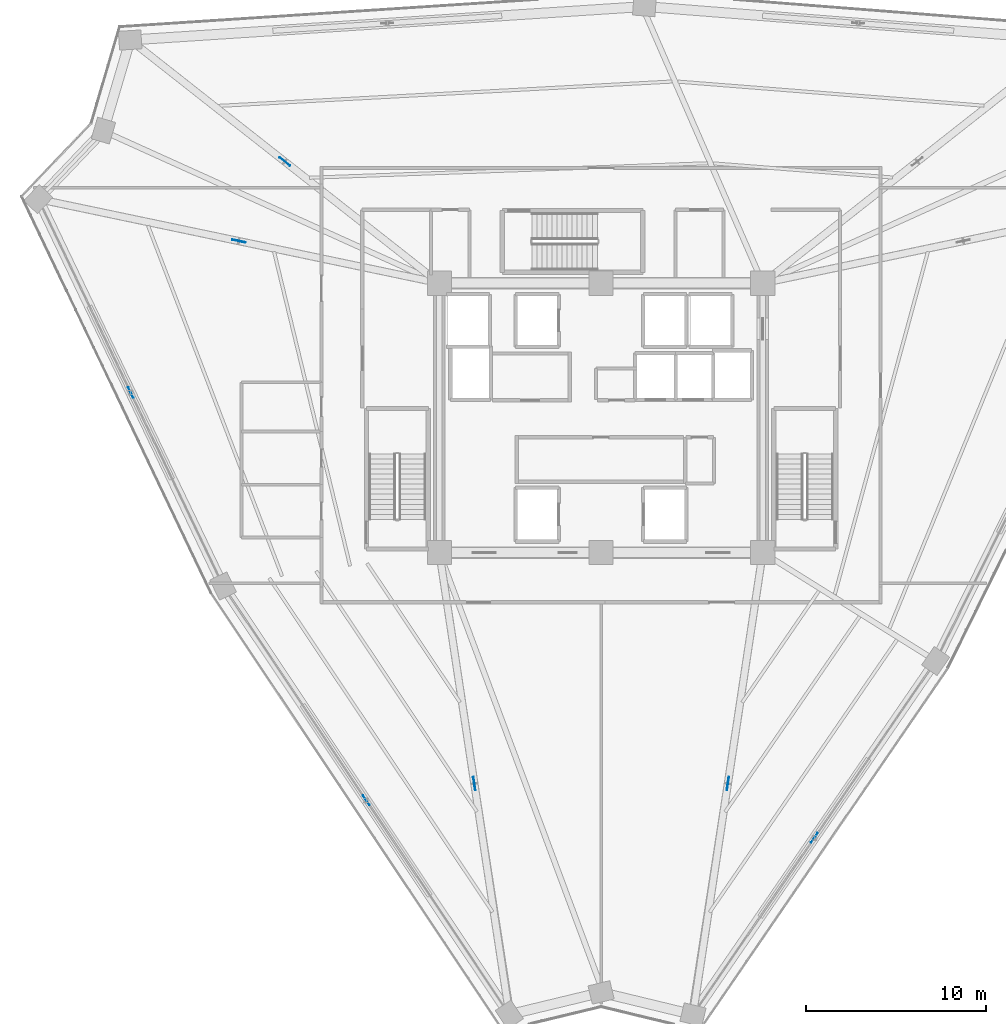
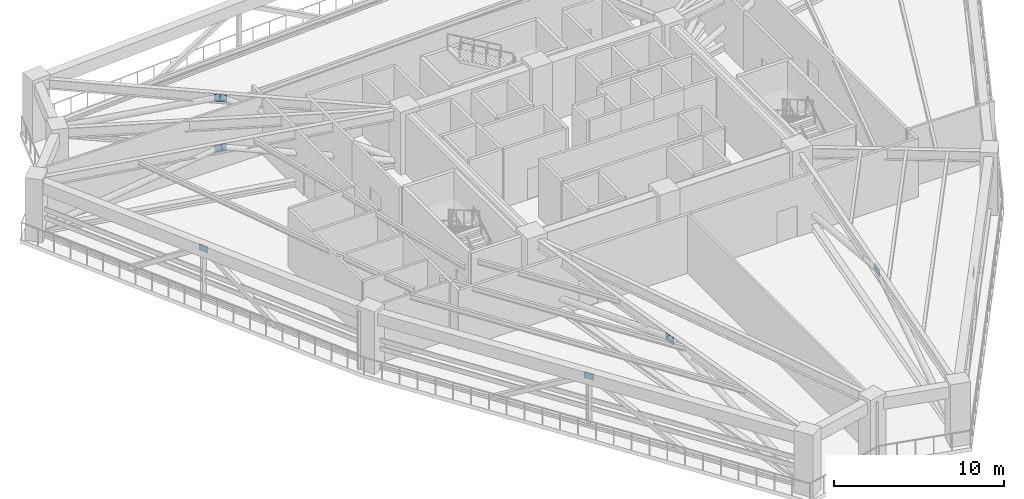
# One storey, part 12 of 22: 7 plates.
"""IFC4 building model written with IfcOpenShell, lengths in metres."""

from ifc_helpers import new_model, si_unit, direction, frame, origin, origin_2d, place, context, subcontext, project, spatial, rectangle, extrude, source, transform, mapped, material, layer, layer_set, type_object, element, save


model = new_model("IFC4")

# Units and contexts
model_context = context("Model", 3, precision=1e-05, world=origin(), true_north=direction((0.0, 1.0)))
body_context = subcontext(model_context, "Body", "Model", "MODEL_VIEW")
ifc_project = project(units=[si_unit("LENGTHUNIT", "METRE"), si_unit("AREAUNIT", "SQUARE_METRE"), si_unit("VOLUMEUNIT", "CUBIC_METRE"), si_unit("PLANEANGLEUNIT", "RADIAN"), si_unit("MASSUNIT", "GRAM", prefix="KILO")], contexts=[model_context])

# Site, building, storey
site_placement = place(None, origin())
site = spatial("IfcSite", under=ifc_project, at=site_placement, CompositionType="ELEMENT")
building_placement = place(site_placement, origin())
building = spatial("IfcBuilding", under=site, at=building_placement, Name="Liaohun Quay Tower", CompositionType="ELEMENT")
storey_placement = place(building_placement, frame((0.0, 0.0, 277.5)))
storey = spatial("IfcBuildingStorey", under=building, at=storey_placement, Name="L72", CompositionType="ELEMENT", Elevation=277.5)

# Plates
ifc_material = material(Name="Steel Q420D outrigger node gusset plate", Category="steel")
ifc_layer = layer(ifc_material, 0.0400390625, Name="Steel Q420D outrigger node gusset plate", Category="steel")
ifc_layer_set = layer_set([ifc_layer], Name="Steel Q420D outrigger node gusset plate")
plate_type = type_object("IfcPlateType", Name="PLT-GUS-OUT", PredefinedType="USERDEFINED", material=ifc_layer_set)
shared_shape_1 = source(origin(), body_context, "Body", "SweptSolid", [
    extrude(rectangle(XDim=0.75, YDim=0.0400390625, at=origin_2d()), origin(), (0.0, 0.0, 1.0), 0.5),
])
for number, where, z_axis, x_axis, name in (
    (1, (52.946044921875, 33.64208984375, 3.570068359375), (0.0, 0.0, 1.0), (0.149707911709, -0.988730267147, 0.0), "L72 Outrigger Node Gusset Plate GP1-01"),
    (2, (39.8369140625, 63.840087890625, 3.570068359375), (0.0, 0.0, 1.0), (-0.978724385053, 0.205179380307, 0.0), "L72 Outrigger Node Gusset Plate GP1-02"),
    (3, (42.39404296875, 68.26611328125, 3.570068359375), (0.0, 0.0, 1.0), (-0.786180583316, 0.617996836899, 0.0), "L72 Outrigger Node Gusset Plate GP1-03"),
    (4, (67.05810546875, 33.64111328125, 3.570068359375), (0.0, 0.0, 1.0), (-0.149362770624, -0.988782464828, 0.0), "L72 Outrigger Node Gusset Plate GP1-06"),
):
    element("IfcPlate", number, at=place(storey_placement, frame(where, z_axis=z_axis, x_axis=x_axis)), inside=storey, type_object=plate_type, Name=name, ObjectType="GUSSET PLATE", PredefinedType="USERDEFINED", context=body_context, shape_type="MappedRepresentation", body=[
        mapped(shared_shape_1, transform((0.0, 0.0, 0.0), x_axis=(1.0, 0.0, 0.0), y_axis=(0.0, 1.0, 0.0), z_axis=(0.0, 0.0, 1.0), scale=1.0)),
    ])
shared_shape_2 = source(origin(), body_context, "Body", "SweptSolid", [
    extrude(rectangle(XDim=0.64990234375, YDim=0.035888671875, at=origin_2d()), origin(), (0.0, 0.0, 1.0), 0.449951171875),
])
for number, where, z_axis, x_axis, name in (
    (5, (46.927978515625, 32.7119140625, 3.59521484375), (0.0, 0.0, 1.0), (-0.555279961531, 0.831663492238, 0.0), "L72 Belt Truss Node Gusset Plate GP1-B01"),
    (6, (33.819091796875, 55.408935546875, 3.59521484375), (0.0, 0.0, 1.0), (-0.430983630323, 0.902359745553, 0.0), "L72 Belt Truss Node Gusset Plate GP1-B02"),
    (7, (71.8701171875, 30.6220703125, 3.59521484375), (0.0, 0.0, 1.0), (-0.56597464784, -0.824422645251, 0.0), "L72 Belt Truss Node Gusset Plate GP1-B06"),
):
    element("IfcPlate", number, at=place(storey_placement, frame(where, z_axis=z_axis, x_axis=x_axis)), inside=storey, type_object=plate_type, Name=name, ObjectType="GUSSET PLATE", PredefinedType="USERDEFINED", context=body_context, shape_type="MappedRepresentation", body=[
        mapped(shared_shape_2, transform((0.0, 0.0, 0.0), x_axis=(1.0, 0.0, 0.0), y_axis=(0.0, 1.0, 0.0), z_axis=(0.0, 0.0, 1.0), scale=1.0)),
    ])

save(model, "model.ifc")
